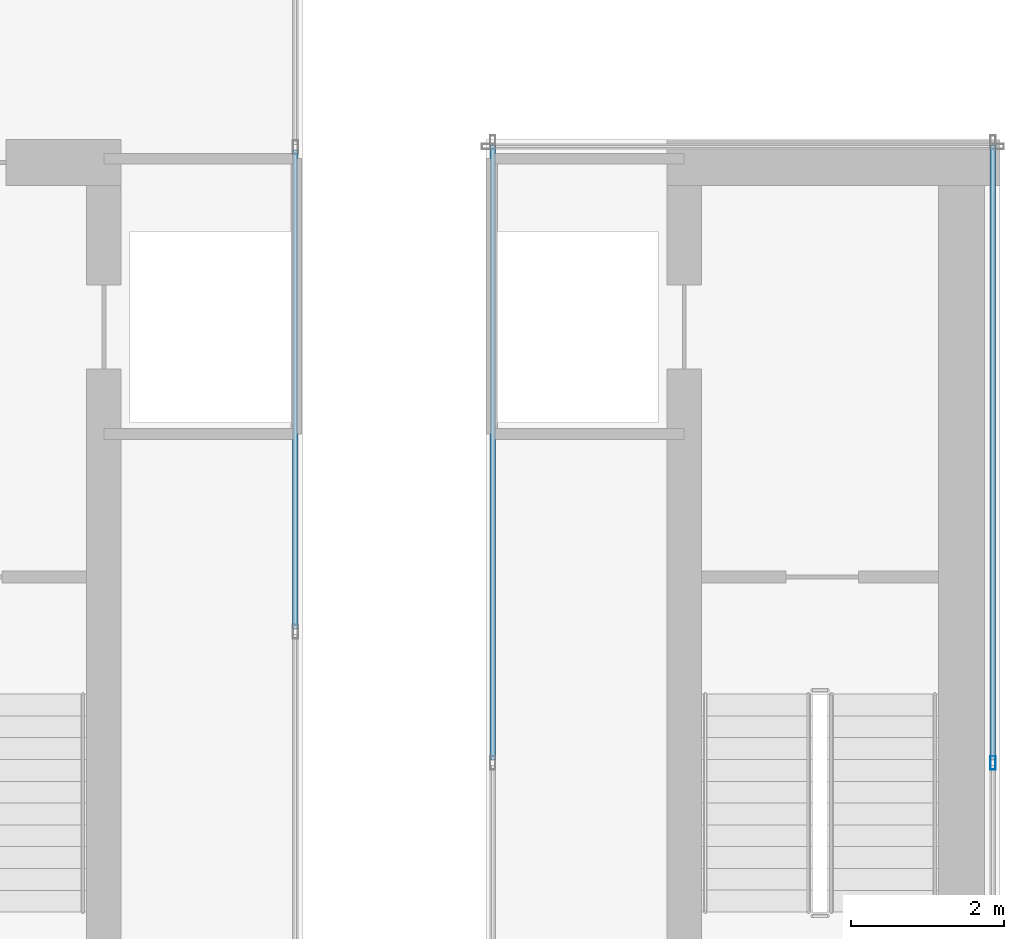
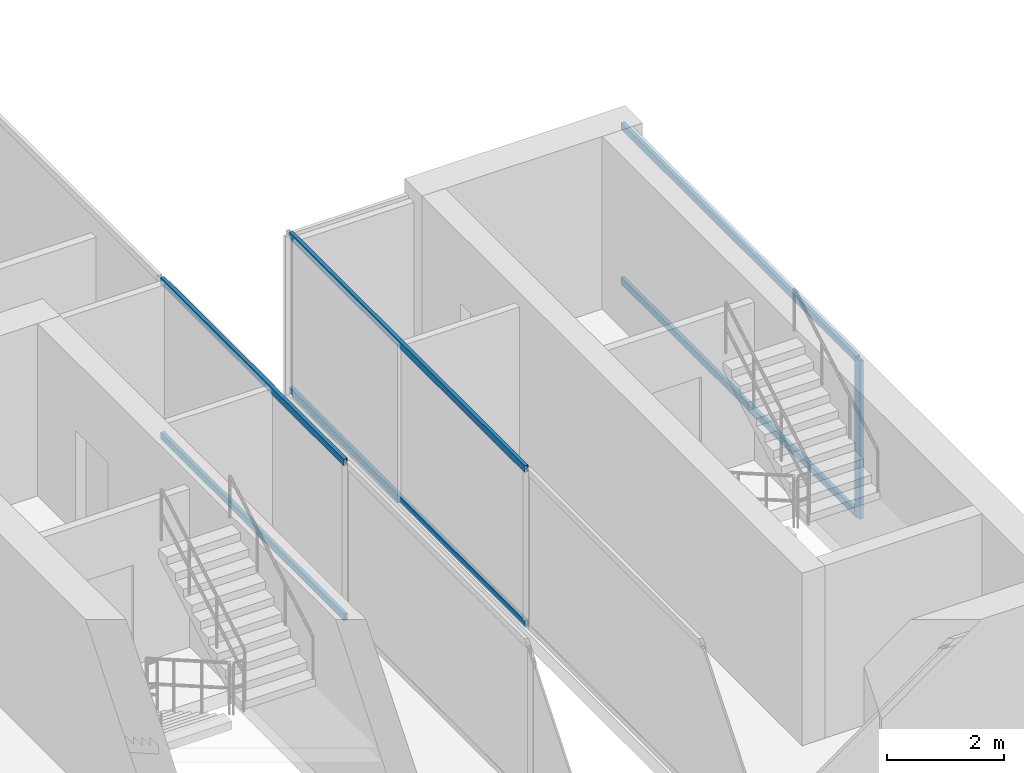
# One storey, part 6 of 16: 7 members, 3 elements without a shape of their own.
"""IFC4 building model written with IfcOpenShell, lengths in metres."""

from ifc_helpers import new_model, si_unit, direction, frame, origin, origin_2d, place, context, subcontext, project, spatial, hollow_rectangle, extrude, source, transform, mapped, material, material_profile, profile_set, type_object, type_shapes, element, aggregate, save


model = new_model("IFC4")

# Units and contexts
model_context = context("Model", 3, precision=1e-05, world=origin(), true_north=direction((0.0, 1.0)))
body_context = subcontext(model_context, "Body", "Model", "MODEL_VIEW")
ifc_project = project(units=[si_unit("LENGTHUNIT", "METRE"), si_unit("AREAUNIT", "SQUARE_METRE"), si_unit("VOLUMEUNIT", "CUBIC_METRE"), si_unit("PLANEANGLEUNIT", "RADIAN"), si_unit("MASSUNIT", "GRAM", prefix="KILO")], contexts=[model_context])

# Site, building, storey
site_placement = place(None, origin())
site = spatial("IfcSite", under=ifc_project, at=site_placement, CompositionType="ELEMENT")
building_placement = place(site_placement, origin())
building = spatial("IfcBuilding", under=site, at=building_placement, Name="Krantzveldt Concourse Tower", CompositionType="ELEMENT")
storey_placement = place(building_placement, frame((0.0, 0.0, 381.85009765625)))
storey = spatial("IfcBuildingStorey", under=building, at=storey_placement, Name="L94", CompositionType="ELEMENT", Elevation=381.85009765625)

# Curtain wall, members
ifc_material = material(Name="Anodised aluminium 6063-T6", Category="aluminium")
curtain_wall_type = type_object("IfcCurtainWallType", Name="CW7", PredefinedType="USERDEFINED", material=ifc_material)
curtain_wall_1_placement = place(storey_placement, origin())
curtain_wall_1 = element("IfcCurtainWall", 1, at=curtain_wall_1_placement, inside=storey, type_object=curtain_wall_type, Name="CW-L94-WEST-01", ObjectType="UNITISED CURTAIN WALL", PredefinedType="USERDEFINED")
ifc_material_profile_1 = material_profile(ifc_material, hollow_rectangle(XDim=0.070068359375, YDim=0.139892578125, WallThickness=0.0048828125, at=origin_2d()), Name="Anodised aluminium 6063-T6", Category="aluminium")
ifc_profile_set_1 = profile_set([ifc_material_profile_1], Name="Anodised aluminium 6063-T6 - ALU-TRAN 140x70x5")
member_type_1 = type_object("IfcMemberType", Name="CW-TRN-150", PredefinedType="USERDEFINED", material=ifc_profile_set_1)
shared_shape_1 = source(origin(), body_context, "Body", "SweptSolid", [
    extrude(hollow_rectangle(XDim=0.070068359375, YDim=0.139892578125, WallThickness=0.0048828125, at=origin_2d()), origin(), (0.0, 0.0, 1.0), 6.263427734375),
])
member_1_placement = place(storey_placement, frame((34.7099609375, 20.401611328125, 0.034912109375), z_axis=(0.0, 1.0, 0.0), x_axis=(-1.0, 0.0, 0.0)))
member_1 = element("IfcMember", 2, at=member_1_placement, type_object=member_type_1, Name="CW-CRN transom 3.1", ObjectType="TRANSOM", PredefinedType="USERDEFINED", context=body_context, shape_type="MappedRepresentation", body=[
    mapped(shared_shape_1, transform((0.0, 0.0, 0.0), x_axis=(1.0, 0.0, 0.0), y_axis=(0.0, 1.0, 0.0), z_axis=(0.0, 0.0, 1.0), scale=1.0)),
])
member_2_placement = place(storey_placement, frame((34.7099609375, 20.401611328125, 3.264892578125), z_axis=(0.0, 1.0, 0.0), x_axis=(-1.0, 0.0, 0.0)))
member_2 = element("IfcMember", 3, at=member_2_placement, type_object=member_type_1, Name="CW-CRN transom 3.2", ObjectType="TRANSOM", PredefinedType="USERDEFINED", context=body_context, shape_type="MappedRepresentation", body=[
    mapped(shared_shape_1, transform((0.0, 0.0, 0.0), x_axis=(1.0, 0.0, 0.0), y_axis=(0.0, 1.0, 0.0), z_axis=(0.0, 0.0, 1.0), scale=1.0)),
])
aggregate(curtain_wall_1, [member_1, member_2])

curtain_wall_2_placement = place(storey_placement, origin())
curtain_wall_2 = element("IfcCurtainWall", 4, at=curtain_wall_2_placement, inside=storey, type_object=curtain_wall_type, Name="CW-L94-EAST-01", ObjectType="UNITISED CURTAIN WALL", PredefinedType="USERDEFINED")
shared_shape_2 = source(origin(), body_context, "Body", "SweptSolid", [
    extrude(hollow_rectangle(XDim=0.070068359375, YDim=0.139892578125, WallThickness=0.0048828125, at=origin_2d()), origin(), (0.0, 0.0, 1.0), 8.044921875),
])
type_shapes(member_type_1, [shared_shape_1, shared_shape_2])
member_3_placement = place(storey_placement, frame((43.830078125, 18.68505859375, 0.034912109375), z_axis=(0.0, 1.0, 0.0), x_axis=(-1.0, 0.0, 0.0)))
member_3 = element("IfcMember", 5, at=member_3_placement, type_object=member_type_1, Name="CW-CRN transom 2.1", ObjectType="TRANSOM", PredefinedType="USERDEFINED", context=body_context, shape_type="MappedRepresentation", body=[
    mapped(shared_shape_2, transform((0.0, 0.0, 0.0), x_axis=(1.0, 0.0, 0.0), y_axis=(0.0, 1.0, 0.0), z_axis=(0.0, 0.0, 1.0), scale=1.0)),
])
member_4_placement = place(storey_placement, frame((43.830078125, 18.68505859375, 3.264892578125), z_axis=(0.0, 1.0, 0.0), x_axis=(-1.0, 0.0, 0.0)))
member_4 = element("IfcMember", 6, at=member_4_placement, type_object=member_type_1, Name="CW-CRN transom 2.2", ObjectType="TRANSOM", PredefinedType="USERDEFINED", context=body_context, shape_type="MappedRepresentation", body=[
    mapped(shared_shape_2, transform((0.0, 0.0, 0.0), x_axis=(1.0, 0.0, 0.0), y_axis=(0.0, 1.0, 0.0), z_axis=(0.0, 0.0, 1.0), scale=1.0)),
])

curtain_wall_3_placement = place(storey_placement, origin())
curtain_wall_3 = element("IfcCurtainWall", 7, at=curtain_wall_3_placement, inside=storey, type_object=curtain_wall_type, Name="CW-L94-EAST-03", ObjectType="UNITISED CURTAIN WALL", PredefinedType="USERDEFINED")
member_5_placement = place(storey_placement, frame((37.2900390625, 26.72998046875, 0.034912109375), z_axis=(0.0, -1.0, 0.0), x_axis=(1.0, 0.0, 0.0)))
member_5 = element("IfcMember", 8, at=member_5_placement, type_object=member_type_1, Name="CW-CRN transom 1.1", ObjectType="TRANSOM", PredefinedType="USERDEFINED", context=body_context, shape_type="MappedRepresentation", body=[
    mapped(shared_shape_2, transform((0.0, 0.0, 0.0), x_axis=(1.0, 0.0, 0.0), y_axis=(0.0, 1.0, 0.0), z_axis=(0.0, 0.0, 1.0), scale=1.0)),
])
member_6_placement = place(storey_placement, frame((37.2900390625, 26.72998046875, 3.264892578125), z_axis=(0.0, -1.0, 0.0), x_axis=(1.0, 0.0, 0.0)))
member_6 = element("IfcMember", 9, at=member_6_placement, type_object=member_type_1, Name="CW-CRN transom 1.2", ObjectType="TRANSOM", PredefinedType="USERDEFINED", context=body_context, shape_type="MappedRepresentation", body=[
    mapped(shared_shape_2, transform((0.0, 0.0, 0.0), x_axis=(1.0, 0.0, 0.0), y_axis=(0.0, 1.0, 0.0), z_axis=(0.0, 0.0, 1.0), scale=1.0)),
])
aggregate(curtain_wall_3, [member_5, member_6])

# Member
ifc_material_profile_2 = material_profile(ifc_material, hollow_rectangle(XDim=0.070068359375, YDim=0.179931640625, WallThickness=0.0048828125, at=origin_2d()), Name="Anodised aluminium 6063-T6", Category="aluminium")
ifc_profile_set_2 = profile_set([ifc_material_profile_2], Name="Anodised aluminium 6063-T6 - ALU-MULL 180x70x5")
member_type_2 = type_object("IfcMemberType", Name="CW-MUL-180", PredefinedType="MULLION", material=ifc_profile_set_2)
shared_shape_3 = source(origin(), body_context, "Body", "SweptSolid", [
    extrude(hollow_rectangle(XDim=0.070068359375, YDim=0.179931640625, WallThickness=0.0048828125, at=origin_2d()), origin(), (0.0, 0.0, 1.0), 3.2998046875),
])
type_shapes(member_type_2, [shared_shape_3])
member_7_placement = place(storey_placement, frame((43.830078125, 18.64990234375, 0.0), z_axis=(0.0, 0.0, 1.0), x_axis=(-1.0, 0.0, 0.0)))
member_7 = element("IfcMember", 10, at=member_7_placement, type_object=member_type_2, Name="CW-CRN mullion 2", PredefinedType="MULLION", context=body_context, shape_type="MappedRepresentation", body=[
    mapped(shared_shape_3, transform((0.0, 0.0, 0.0), x_axis=(1.0, 0.0, 0.0), y_axis=(0.0, 1.0, 0.0), z_axis=(0.0, 0.0, 1.0), scale=1.0)),
])

aggregate(curtain_wall_2, [member_7, member_3, member_4])

save(model, "model.ifc")
